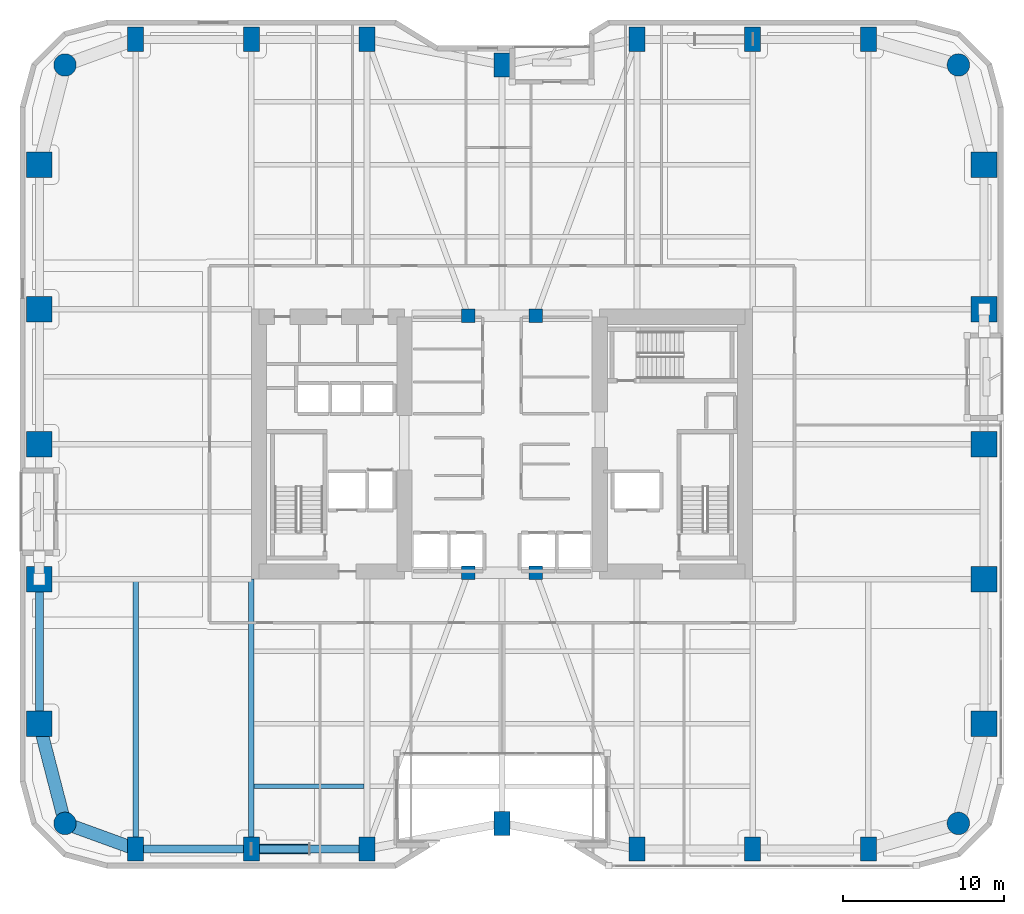
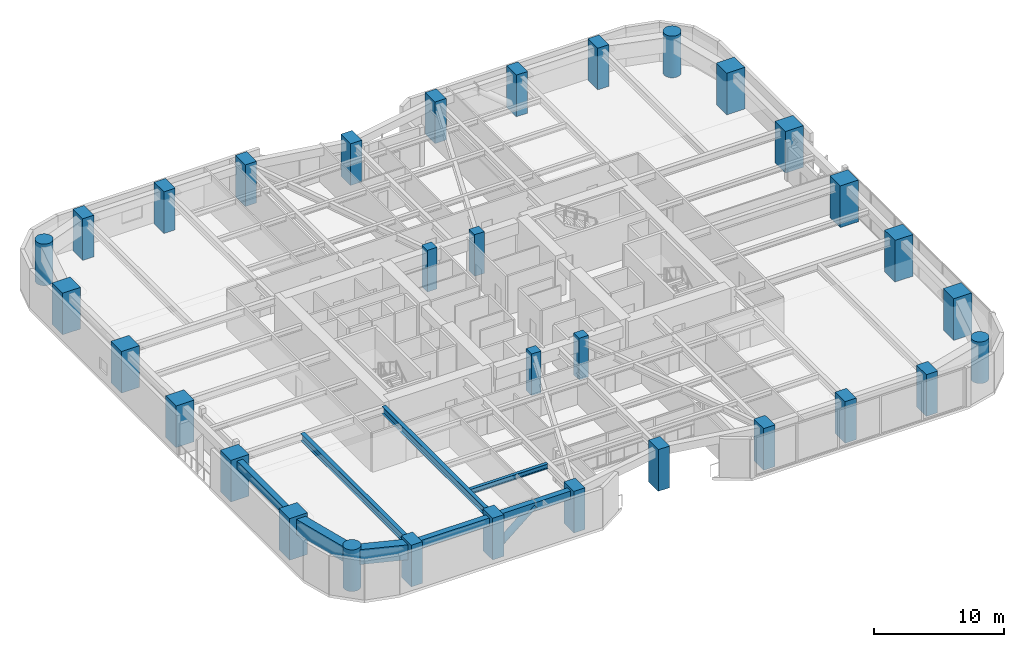
# One storey, part 1 of 26: 32 columns, 8 beams, 1 member.
"""IFC4 building model written with IfcOpenShell, lengths in metres."""

from ifc_helpers import new_model, si_unit, direction, frame, origin, origin_2d, place, context, subcontext, project, spatial, rectangle, circle, hollow_circle, i_section, extrude, material, material_profile, profile_set, type_object, element, save


model = new_model("IFC4")

# Units and contexts
model_context = context("Model", 3, precision=1e-05, world=origin(), true_north=direction((0.0, 1.0)))
body_context = subcontext(model_context, "Body", "Model", "MODEL_VIEW")
ifc_project = project(units=[si_unit("LENGTHUNIT", "METRE"), si_unit("AREAUNIT", "SQUARE_METRE"), si_unit("VOLUMEUNIT", "CUBIC_METRE"), si_unit("PLANEANGLEUNIT", "RADIAN"), si_unit("MASSUNIT", "GRAM", prefix="KILO")], contexts=[model_context])

# Site, building, storey
site_placement = place(None, origin())
site = spatial("IfcSite", under=ifc_project, at=site_placement, CompositionType="ELEMENT")
building_placement = place(site_placement, origin())
building = spatial("IfcBuilding", under=site, at=building_placement, Name="Kiyonajd Concourse Tower", CompositionType="ELEMENT")
storey_placement = place(building_placement, frame((0.0, 0.0, 72.89990234375)))
storey = spatial("IfcBuildingStorey", under=building, at=storey_placement, Name="L19", CompositionType="ELEMENT", Elevation=72.89990234375)

# Columns
ifc_material_1 = material(Name="Concrete C80/95", Category="concrete")
ifc_material_profile_1 = material_profile(ifc_material_1, rectangle(XDim=1.0, YDim=1.5, at=origin_2d()), Name="RC-1500x1000")
ifc_profile_set_1 = profile_set([ifc_material_profile_1], Name="Concrete C80/95")
column_type_1 = type_object("IfcColumnType", Name="CL-BLADE-1500", PredefinedType="COLUMN", material=ifc_profile_set_1)
for number, where, z_axis, x_axis, name in (
    (1, (25.199951171875, 10.800048828125, 0.0), (0.0, 0.0, 1.0), (1.0, 0.0, 0.0), "L19 Perimeter Bundled Tube Column"),
    (2, (25.199951171875, 61.199951171875, 0.0), (0.0, 0.0, 1.0), (1.0, 0.0, 0.0), "L19 Perimeter Bundled Tube Column"),
    (3, (32.39990234375, 10.800048828125, 0.0), (0.0, 0.0, 1.0), (1.0, 0.0, 0.0), "L19 Perimeter Bundled Tube Column"),
    (4, (32.39990234375, 61.199951171875, 0.0), (0.0, 0.0, 1.0), (1.0, 0.0, 0.0), "L19 Perimeter Bundled Tube Column"),
    (5, (39.60009765625, 10.800048828125, 0.0), (0.0, 0.0, 1.0), (1.0, 0.0, 0.0), "L19 Perimeter Bundled Tube Column"),
    (6, (39.60009765625, 61.199951171875, 0.0), (0.0, 0.0, 1.0), (1.0, 0.0, 0.0), "L19 Perimeter Bundled Tube Column"),
    (7, (48.0, 12.39990234375, 0.0), (0.0, 0.0, 1.0), (1.0, 0.0, 0.0), "L19 Perimeter Bundled Tube Column"),
    (8, (48.0, 59.60009765625, 0.0), (0.0, 0.0, 1.0), (1.0, 0.0, 0.0), "L19 Perimeter Bundled Tube Column"),
    (9, (56.39990234375, 10.800048828125, 0.0), (0.0, 0.0, 1.0), (1.0, 0.0, 0.0), "L19 Perimeter Bundled Tube Column"),
    (10, (56.39990234375, 61.199951171875, 0.0), (0.0, 0.0, 1.0), (1.0, 0.0, 0.0), "L19 Perimeter Bundled Tube Column"),
    (11, (63.60009765625, 10.800048828125, 0.0), (0.0, 0.0, 1.0), (1.0, 0.0, 0.0), "L19 Perimeter Bundled Tube Column"),
    (12, (63.60009765625, 61.199951171875, 0.0), (0.0, 0.0, 1.0), (1.0, 0.0, 0.0), "L19 Perimeter Bundled Tube Column"),
    (13, (70.800048828125, 10.800048828125, 0.0), (0.0, 0.0, 1.0), (1.0, 0.0, 0.0), "L19 Perimeter Bundled Tube Column"),
    (14, (70.800048828125, 61.199951171875, 0.0), (0.0, 0.0, 1.0), (1.0, 0.0, 0.0), "L19 Perimeter Bundled Tube Column"),
):
    element("IfcColumn", number, at=place(storey_placement, frame(where, z_axis=z_axis, x_axis=x_axis)), inside=storey, type_object=column_type_1, Name=name, PredefinedType="COLUMN", context=body_context, shape_type="SweptSolid", body=[
        extrude(rectangle(XDim=1.0, YDim=1.5, at=origin_2d()), origin(), (0.0, 0.0, 1.0), 3.900146484375),
    ])
ifc_material_profile_2 = material_profile(ifc_material_1, circle(Radius=0.699951171875, at=origin_2d()), Name="RCC-D1400")
ifc_profile_set_2 = profile_set([ifc_material_profile_2], Name="Concrete C80/95")
column_type_2 = type_object("IfcColumnType", Name="CL-RND-1400", PredefinedType="COLUMN", material=ifc_profile_set_2)
for number, where, z_axis, x_axis, name in (
    (15, (20.800048828125, 12.39990234375, 0.0), (0.0, 0.0, 1.0), (1.0, 0.0, 0.0), "L19 Bundled Tube Corner Column South West"),
    (16, (76.39990234375, 12.39990234375, 0.0), (0.0, 0.0, 1.0), (1.0, 0.0, 0.0), "L19 Bundled Tube Corner Column South East"),
    (17, (76.39990234375, 59.60009765625, 0.0), (0.0, 0.0, 1.0), (1.0, 0.0, 0.0), "L19 Bundled Tube Corner Column North East"),
    (18, (20.800048828125, 59.60009765625, 0.0), (0.0, 0.0, 1.0), (1.0, 0.0, 0.0), "L19 Bundled Tube Corner Column North West"),
):
    element("IfcColumn", number, at=place(storey_placement, frame(where, z_axis=z_axis, x_axis=x_axis)), inside=storey, type_object=column_type_2, Name=name, PredefinedType="COLUMN", context=body_context, shape_type="SweptSolid", body=[
        extrude(circle(Radius=0.699951171875, at=origin_2d()), origin(), (0.0, 0.0, 1.0), 3.900146484375),
    ])
ifc_material_profile_3 = material_profile(ifc_material_1, rectangle(XDim=1.60009765625, YDim=1.60009765625, at=origin_2d()), Name="RC-1600x1600")
ifc_profile_set_3 = profile_set([ifc_material_profile_3], Name="Concrete C80/95")
column_type_3 = type_object("IfcColumnType", Name="CL-TUBE-1600", PredefinedType="COLUMN", material=ifc_profile_set_3)
for number, where, z_axis, x_axis, name in (
    (19, (19.199951171875, 18.60009765625, 0.0), (0.0, 0.0, 1.0), (1.0, 0.0, 0.0), "L19 Perimeter Bundled Tube Column"),
    (20, (78.0, 18.60009765625, 0.0), (0.0, 0.0, 1.0), (1.0, 0.0, 0.0), "L19 Perimeter Bundled Tube Column"),
    (21, (19.199951171875, 27.60009765625, 0.0), (0.0, 0.0, 1.0), (1.0, 0.0, 0.0), "L19 Perimeter Bundled Tube Column"),
    (22, (78.0, 27.60009765625, 0.0), (0.0, 0.0, 1.0), (1.0, 0.0, 0.0), "L19 Perimeter Bundled Tube Column"),
    (23, (19.199951171875, 36.0, 0.0), (0.0, 0.0, 1.0), (1.0, 0.0, 0.0), "L19 Perimeter Bundled Tube Column"),
    (24, (78.0, 36.0, 0.0), (0.0, 0.0, 1.0), (1.0, 0.0, 0.0), "L19 Perimeter Bundled Tube Column"),
    (25, (19.199951171875, 44.39990234375, 0.0), (0.0, 0.0, 1.0), (1.0, 0.0, 0.0), "L19 Perimeter Bundled Tube Column"),
    (26, (78.0, 44.39990234375, 0.0), (0.0, 0.0, 1.0), (1.0, 0.0, 0.0), "L19 Perimeter Bundled Tube Column"),
    (27, (19.199951171875, 53.39990234375, 0.0), (0.0, 0.0, 1.0), (1.0, 0.0, 0.0), "L19 Perimeter Bundled Tube Column"),
    (28, (78.0, 53.39990234375, 0.0), (0.0, 0.0, 1.0), (1.0, 0.0, 0.0), "L19 Perimeter Bundled Tube Column"),
):
    element("IfcColumn", number, at=place(storey_placement, frame(where, z_axis=z_axis, x_axis=x_axis)), inside=storey, type_object=column_type_3, Name=name, PredefinedType="COLUMN", context=body_context, shape_type="SweptSolid", body=[
        extrude(rectangle(XDim=1.60009765625, YDim=1.60009765625, at=origin_2d()), origin(), (0.0, 0.0, 1.0), 3.900146484375),
    ])
ifc_material_2 = material(Name="Concrete C60/75", Category="concrete")
ifc_material_profile_4 = material_profile(ifc_material_2, rectangle(XDim=0.85009765625, YDim=0.85009765625, at=origin_2d()), Name="RC-850x850")
ifc_profile_set_4 = profile_set([ifc_material_profile_4], Name="Concrete C60/75")
column_type_4 = type_object("IfcColumnType", Name="CL-TUBE-850", PredefinedType="COLUMN", material=ifc_profile_set_4)
for number, where, z_axis, x_axis, name in (
    (29, (45.89990234375, 28.0, 0.0), (0.0, 0.0, 1.0), (1.0, 0.0, 0.0), "L19 Core Tie Column South West"),
    (30, (50.10009765625, 28.0, 0.0), (0.0, 0.0, 1.0), (1.0, 0.0, 0.0), "L19 Core Tie Column South East"),
    (31, (45.89990234375, 44.0, 0.0), (0.0, 0.0, 1.0), (1.0, 0.0, 0.0), "L19 Core Tie Column North West"),
    (32, (50.10009765625, 44.0, 0.0), (0.0, 0.0, 1.0), (1.0, 0.0, 0.0), "L19 Core Tie Column North East"),
):
    element("IfcColumn", number, at=place(storey_placement, frame(where, z_axis=z_axis, x_axis=x_axis)), inside=storey, type_object=column_type_4, Name=name, PredefinedType="COLUMN", context=body_context, shape_type="SweptSolid", body=[
        extrude(rectangle(XDim=0.85009765625, YDim=0.85009765625, at=origin_2d()), origin(), (0.0, 0.0, 1.0), 3.900146484375),
    ])

# Beams
ifc_material_3 = material(Name="Steel ASTM A992 Grade 50", Category="steel")
ifc_material_profile_5 = material_profile(ifc_material_3, i_section(OverallWidth=0.280029296875, OverallDepth=0.462890625, WebThickness=0.0107421875, FlangeThickness=0.017333984375, at=origin_2d()), Name="W460X113")
ifc_profile_set_5 = profile_set([ifc_material_profile_5], Name="Steel ASTM A992 Grade 50")
beam_type_1 = type_object("IfcBeamType", Name="BM-JST-460A", PredefinedType="JOIST", material=ifc_profile_set_5)
beam_1_placement = place(storey_placement, frame((32.577392578125, 14.699951171875, 3.40869140625), z_axis=(1.0, 0.0, 0.0), x_axis=(0.0, 1.0, 0.0)))
element("IfcBeam", 33, at=beam_1_placement, inside=storey, type_object=beam_type_1, Name="L19 Secondary Floor Joist", PredefinedType="JOIST", context=body_context, shape_type="SweptSolid", body=[
    extrude(i_section(OverallWidth=0.280029296875, OverallDepth=0.462890625, WebThickness=0.0107421875, FlangeThickness=0.017333984375, at=origin_2d()), origin(), (0.0, 0.0, 1.0), 6.84521484375),
])
ifc_material_4 = material(Name="Precast concrete C50/60", Category="concrete")
ifc_material_profile_6 = material_profile(ifc_material_4, rectangle(XDim=0.5, YDim=0.75, at=origin_2d()), Name="RCBM-500x750")
ifc_profile_set_6 = profile_set([ifc_material_profile_6], Name="Precast concrete C50/60")
beam_type_2 = type_object("IfcBeamType", Name="BM-SPAN-RC", PredefinedType="SPANDREL", material=ifc_profile_set_6)
beam_2_placement = place(storey_placement, frame((19.199951171875, 27.60009765625, 3.26513671875), z_axis=(0.0, -1.0, 0.0), x_axis=(1.0, 0.0, 0.0)))
element("IfcBeam", 34, at=beam_2_placement, inside=storey, type_object=beam_type_2, Name="L19 Perimeter Bundled Tube Spandrel", PredefinedType="SPANDREL", context=body_context, shape_type="SweptSolid", body=[
    extrude(rectangle(XDim=0.5, YDim=0.75, at=origin_2d()), origin(), (0.0, 0.0, 1.0), 9.0),
])
beam_3_placement = place(storey_placement, frame((25.199951171875, 10.800048828125, 3.26513671875), z_axis=(1.0, 0.0, 0.0), x_axis=(0.0, 1.0, 0.0)))
element("IfcBeam", 35, at=beam_3_placement, inside=storey, type_object=beam_type_2, Name="L19 Perimeter Bundled Tube Spandrel", PredefinedType="SPANDREL", context=body_context, shape_type="SweptSolid", body=[
    extrude(rectangle(XDim=0.5, YDim=0.75, at=origin_2d()), origin(), (0.0, 0.0, 1.0), 7.199951171875),
])
beam_4_placement = place(storey_placement, frame((32.39990234375, 10.800048828125, 3.26513671875), z_axis=(1.0, 0.0, 0.0), x_axis=(0.0, 1.0, 0.0)))
element("IfcBeam", 36, at=beam_4_placement, inside=storey, type_object=beam_type_2, Name="L19 Perimeter Bundled Tube Spandrel", PredefinedType="SPANDREL", context=body_context, shape_type="SweptSolid", body=[
    extrude(rectangle(XDim=0.5, YDim=0.75, at=origin_2d()), origin(), (0.0, 0.0, 1.0), 7.2001953125),
])
ifc_material_profile_7 = material_profile(ifc_material_3, i_section(OverallWidth=0.35498046875, OverallDepth=0.695068359375, WebThickness=0.015380859375, FlangeThickness=0.02490234375, at=origin_2d()), Name="W690X217")
ifc_profile_set_7 = profile_set([ifc_material_profile_7], Name="Steel ASTM A992 Grade 50")
beam_type_3 = type_object("IfcBeamType", Name="BM-TWR-690", PredefinedType="BEAM", material=ifc_profile_set_7)
for number, where, z_axis, x_axis, name in (
    (37, (25.199951171875, 10.800048828125, 3.29248046875), (0.0, 1.0, 0.0), (-1.0, 0.0, 0.0), "L19 South Lease Girder"),
    (38, (32.39990234375, 10.800048828125, 3.29248046875), (0.0, 1.0, 0.0), (-1.0, 0.0, 0.0), "L19 South Lease Girder"),
):
    element("IfcBeam", number, at=place(storey_placement, frame(where, z_axis=z_axis, x_axis=x_axis)), inside=storey, type_object=beam_type_3, Name=name, PredefinedType="BEAM", context=body_context, shape_type="SweptSolid", body=[
        extrude(i_section(OverallWidth=0.35498046875, OverallDepth=0.695068359375, WebThickness=0.015380859375, FlangeThickness=0.02490234375, at=origin_2d()), origin(), (0.0, 0.0, 1.0), 16.800048828125),
    ])
ifc_material_profile_8 = material_profile(ifc_material_2, rectangle(XDim=0.800048828125, YDim=1.39990234375, at=origin_2d()), Name="RCBM-800x1400")
ifc_profile_set_8 = profile_set([ifc_material_profile_8], Name="Concrete C60/75")
beam_type_4 = type_object("IfcBeamType", Name="BM-XFER-RC", PredefinedType="BEAM", material=ifc_profile_set_8)
beam_5_placement = place(storey_placement, frame((19.199951171875, 18.60009765625, 2.940185546875), z_axis=(0.249884937687, -0.968275538221, 0.0), x_axis=(0.968275538221, 0.249884937687, 0.0)))
element("IfcBeam", 39, at=beam_5_placement, inside=storey, type_object=beam_type_4, Name="L19 Perimeter Bundled Tube Spandrel", PredefinedType="BEAM", context=body_context, shape_type="SweptSolid", body=[
    extrude(rectangle(XDim=0.800048828125, YDim=1.39990234375, at=origin_2d()), origin(), (0.0, 0.0, 1.0), 6.4033203125),
])
beam_6_placement = place(storey_placement, frame((20.800048828125, 12.39990234375, 2.940185546875), z_axis=(0.939801036019, -0.341722127901, 0.0), x_axis=(0.341722127901, 0.939801036019, 0.0)))
element("IfcBeam", 40, at=beam_6_placement, inside=storey, type_object=beam_type_4, Name="L19 Perimeter Bundled Tube Spandrel", PredefinedType="BEAM", context=body_context, shape_type="SweptSolid", body=[
    extrude(rectangle(XDim=0.800048828125, YDim=1.39990234375, at=origin_2d()), origin(), (0.0, 0.0, 1.0), 4.681640625),
])

# Member
ifc_material_5 = material(Name="Steel ASTM A572 Grade 50", Category="steel")
ifc_material_profile_9 = material_profile(ifc_material_5, hollow_circle(Radius=0.304931640625, WallThickness=0.02490234375, at=origin_2d()), Name="CHS-610x25")
ifc_profile_set_9 = profile_set([ifc_material_profile_9], Name="Steel ASTM A572 Grade 50")
member_type = type_object("IfcMemberType", Name="MB-PB-LOW", PredefinedType="BRACE", material=ifc_profile_set_9)
member_placement = place(storey_placement, frame((32.39990234375, 10.800048828125, 0.300048828125), z_axis=(0.769280705518, 0.0, 0.638910945373), x_axis=(0.0, 1.0, 0.0)))
element("IfcMember", 41, at=member_placement, inside=storey, type_object=member_type, Name="L19 Lower Zone Welded Tube Brace PBS", PredefinedType="BRACE", context=body_context, shape_type="SweptSolid", body=[
    extrude(hollow_circle(Radius=0.304931640625, WallThickness=0.02490234375, at=origin_2d()), origin(), (0.0, 0.0, 1.0), 4.679931640625),
])

save(model, "model.ifc")
